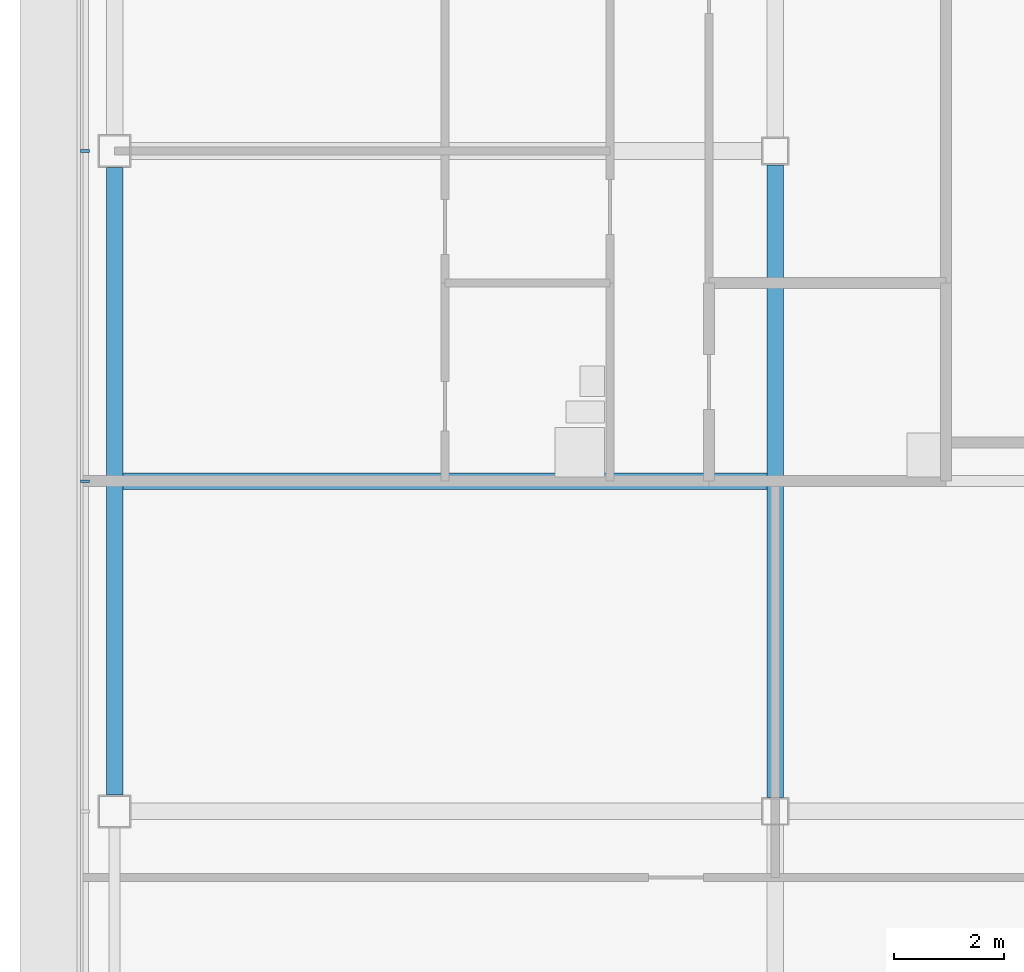
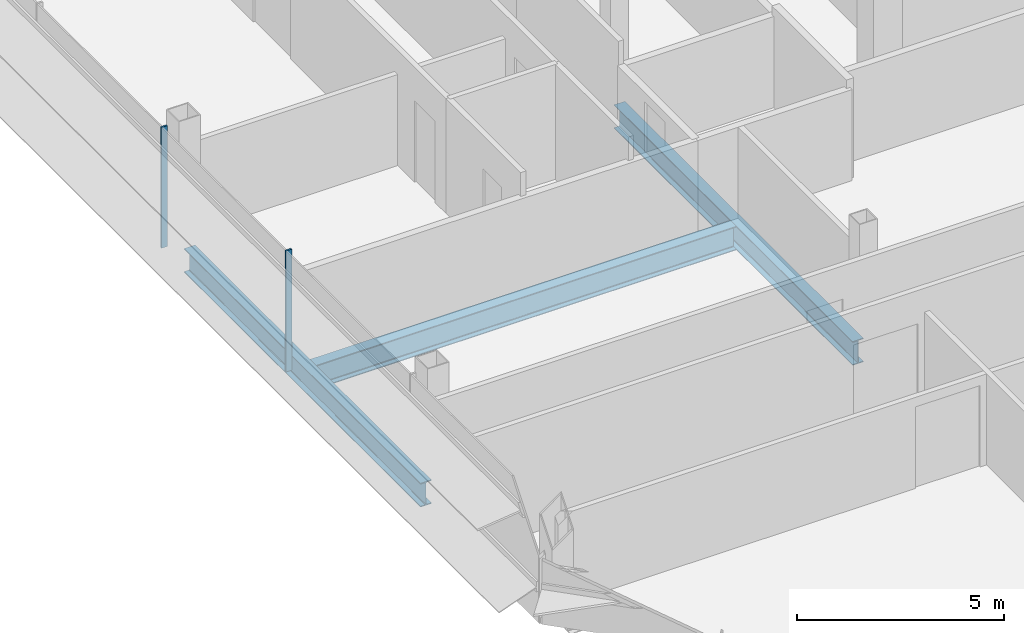
# One storey, part 5 of 28: 3 beams, 2 members, 1 element without a shape of its own.
"""IFC4 building model written with IfcOpenShell, lengths in metres."""

from ifc_helpers import new_model, si_unit, direction, frame, origin, origin_2d, place, context, subcontext, project, spatial, rectangle, i_section, extrude, material, material_profile, profile_set, type_object, element, aggregate, save


model = new_model("IFC4")

# Units and contexts
model_context = context("Model", 3, precision=1e-05, world=origin(), true_north=direction((0.0, 1.0)))
body_context = subcontext(model_context, "Body", "Model", "MODEL_VIEW")
ifc_project = project(units=[si_unit("LENGTHUNIT", "METRE"), si_unit("AREAUNIT", "SQUARE_METRE"), si_unit("VOLUMEUNIT", "CUBIC_METRE"), si_unit("PLANEANGLEUNIT", "RADIAN"), si_unit("MASSUNIT", "GRAM", prefix="KILO")], contexts=[model_context])

# Site, building, storey
site_placement = place(None, origin())
site = spatial("IfcSite", under=ifc_project, at=site_placement, CompositionType="ELEMENT")
building_placement = place(site_placement, origin())
building = spatial("IfcBuilding", under=site, at=building_placement, Name="Sorahane Residences", CompositionType="ELEMENT")
storey_placement = place(building_placement, frame((0.0, 0.0, 254.0)))
storey = spatial("IfcBuildingStorey", under=building, at=storey_placement, Name="L60", CompositionType="ELEMENT", Elevation=254.0)

# Curtain wall, members
ifc_material_1 = material(Name="Dark low-e glass and black anodised aluminium", Category="aluminium")
curtain_wall_type = type_object("IfcCurtainWallType", Name="Curtain wall CW-1 Typical unitised wall", PredefinedType="NOTDEFINED", material=ifc_material_1)
curtain_wall_placement = place(storey_placement, origin())
curtain_wall = element("IfcCurtainWall", 1, at=curtain_wall_placement, inside=storey, type_object=curtain_wall_type, Name="CW-1 curtain wall L60 W1", PredefinedType="NOTDEFINED")
ifc_material_2 = material(Name="Black anodised aluminium", Category="aluminium")
ifc_material_profile_1 = material_profile(ifc_material_2, rectangle(XDim=0.159912109375, YDim=0.050048828125, at=origin_2d()), Name="Curtain wall mullion CW-1 black anodised aluminium 50x160")
ifc_profile_set_1 = profile_set([ifc_material_profile_1], Name="Black anodised aluminium")
member_type = type_object("IfcMemberType", Name="Curtain wall mullion CW-1 black anodised aluminium 50x160", PredefinedType="MULLION", material=ifc_profile_set_1)
member_1_placement = place(storey_placement, frame((-12.5400390625, 24.0, -0.179931640625), z_axis=(0.0, 0.0, 1.0), x_axis=(-1.0, 0.0, 0.0)))
member_1 = element("IfcMember", 2, at=member_1_placement, type_object=member_type, Name="CW-1 mullion L60 W1.4", PredefinedType="MULLION", context=body_context, shape_type="SweptSolid", body=[
    extrude(rectangle(XDim=0.159912109375, YDim=0.050048828125, at=origin_2d()), origin(), (0.0, 0.0, 1.0), 3.559814453125),
])
member_2_placement = place(storey_placement, frame((-12.5400390625, 18.0, -0.179931640625), z_axis=(0.0, 0.0, 1.0), x_axis=(-1.0, 0.0, 0.0)))
member_2 = element("IfcMember", 3, at=member_2_placement, type_object=member_type, Name="CW-1 mullion L60 W1.5", PredefinedType="MULLION", context=body_context, shape_type="SweptSolid", body=[
    extrude(rectangle(XDim=0.159912109375, YDim=0.050048828125, at=origin_2d()), origin(), (0.0, 0.0, 1.0), 3.559814453125),
])
aggregate(curtain_wall, [member_1, member_2])

# Beams
ifc_material_3 = material(Name="Steel Q355B", Category="steel")
ifc_material_profile_2 = material_profile(ifc_material_3, i_section(OverallWidth=0.300048828125, OverallDepth=0.699951171875, WebThickness=0.012939453125, FlangeThickness=0.02392578125, FilletRadius=0.028076171875, at=origin_2d()), Name="HN 700x300x13x24")
ifc_profile_set_2 = profile_set([ifc_material_profile_2], Name="Steel Q355B")
beam_type = type_object("IfcBeamType", Name="Steel floor beam HN 700x300x13x24 Q355B", PredefinedType="BEAM", material=ifc_profile_set_2)
beam_1_placement = place(storey_placement, frame((-12.0, 12.300048828125, -0.530029296875), z_axis=(0.0, 1.0, 0.0), x_axis=(-1.0, 0.0, 0.0)))
element("IfcBeam", 4, at=beam_1_placement, inside=storey, type_object=beam_type, Name="Beam L60 021", PredefinedType="BEAM", context=body_context, shape_type="SweptSolid", body=[
    extrude(i_section(OverallWidth=0.300048828125, OverallDepth=0.699951171875, WebThickness=0.012939453125, FlangeThickness=0.02392578125, FilletRadius=0.028076171875, at=origin_2d()), origin(), (0.0, 0.0, 1.0), 11.39990234375),
])
beam_2_placement = place(storey_placement, frame((0.0, 12.25, -0.530029296875), z_axis=(0.0, 1.0, 0.0), x_axis=(-1.0, 0.0, 0.0)))
element("IfcBeam", 5, at=beam_2_placement, inside=storey, type_object=beam_type, Name="Beam L60 025", PredefinedType="BEAM", context=body_context, shape_type="SweptSolid", body=[
    extrude(i_section(OverallWidth=0.300048828125, OverallDepth=0.699951171875, WebThickness=0.012939453125, FlangeThickness=0.02392578125, FilletRadius=0.028076171875, at=origin_2d()), origin(), (0.0, 0.0, 1.0), 11.5),
])
beam_3_placement = place(storey_placement, frame((-11.85009765625, 18.0, -0.530029296875), z_axis=(1.0, 0.0, 0.0), x_axis=(0.0, 1.0, 0.0)))
element("IfcBeam", 6, at=beam_3_placement, inside=storey, type_object=beam_type, Name="Beam L60 078", PredefinedType="BEAM", context=body_context, shape_type="SweptSolid", body=[
    extrude(i_section(OverallWidth=0.300048828125, OverallDepth=0.699951171875, WebThickness=0.012939453125, FlangeThickness=0.02392578125, FilletRadius=0.028076171875, at=origin_2d()), origin(), (0.0, 0.0, 1.0), 11.7001953125),
])

save(model, "model.ifc")
